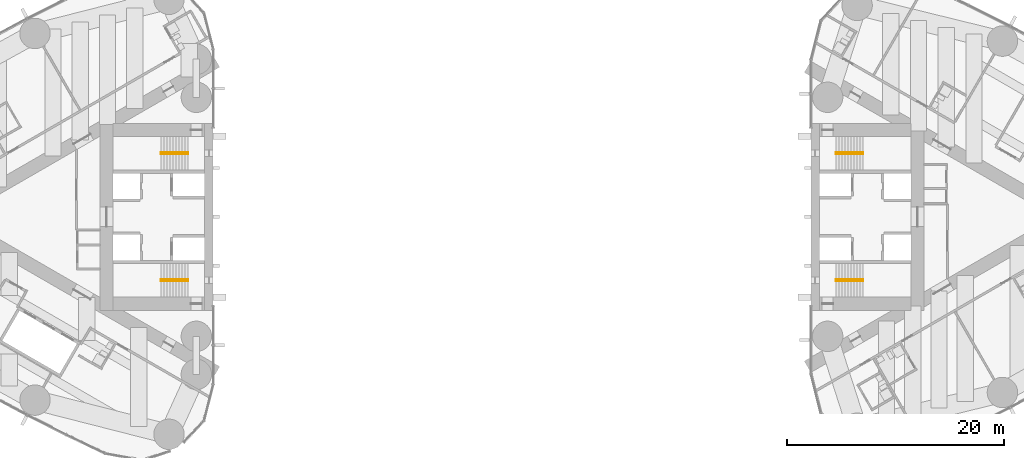
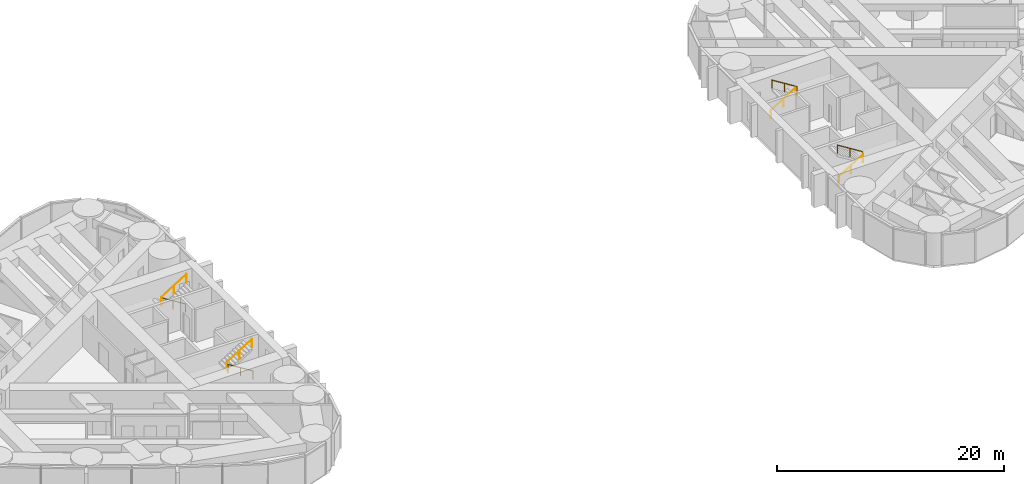
# One storey, part 18 of 19: 8 railings.
"""IFC4 building model written with IfcOpenShell, lengths in metres."""

from ifc_helpers import new_model, si_unit, direction, frame, origin, origin_2d, place, context, subcontext, project, spatial, circle, extrude, material, type_object, element, save


model = new_model("IFC4")

# Units and contexts
model_context = context("Model", 3, precision=1e-05, world=origin(), true_north=direction((0.0, 1.0)))
body_context = subcontext(model_context, "Body", "Model", "MODEL_VIEW")
ifc_project = project(units=[si_unit("LENGTHUNIT", "METRE"), si_unit("AREAUNIT", "SQUARE_METRE"), si_unit("VOLUMEUNIT", "CUBIC_METRE"), si_unit("PLANEANGLEUNIT", "RADIAN"), si_unit("MASSUNIT", "GRAM", prefix="KILO")], contexts=[model_context])

# Site, building, storey
site_placement = place(None, origin())
site = spatial("IfcSite", under=ifc_project, at=site_placement, CompositionType="ELEMENT")
building_placement = place(site_placement, origin())
building = spatial("IfcBuilding", under=site, at=building_placement, Name="Lancet Gate Hotel", CompositionType="ELEMENT")
storey_placement = place(building_placement, frame((0.0, 0.0, 173.800048828125)))
storey = spatial("IfcBuildingStorey", under=building, at=storey_placement, Name="L46", CompositionType="ELEMENT", Elevation=173.800048828125)

# Railings
ifc_material = material(Name="Stainless steel handrail", Category="steel")
railing_type = type_object("IfcRailingType", Name="Stair handrail 900", PredefinedType="HANDRAIL", material=ifc_material)
railing_1_placement = place(storey_placement, frame((-29.800048828125, 5.929931640625, 0.175048828125)))
element("IfcRailing", 1, at=railing_1_placement, inside=storey, type_object=railing_type, Name="ST1 handrail flight 1 L46", PredefinedType="HANDRAIL", context=body_context, shape_type="SweptSolid", body=[
    extrude(circle(Radius=0.02392578125, at=origin_2d()), frame((0.0, 0.0, 0.8759765625), z_axis=(-0.848007534815, 0.0, 0.529984170421), x_axis=(0.0, -1.0, 0.0)), (0.0, 0.0, 1.0), 2.9716796875),
    extrude(circle(Radius=0.02099609375, at=origin_2d()), origin(), (0.0, 0.0, 1.0), 0.851806640625),
    extrude(circle(Radius=0.02099609375, at=origin_2d()), frame((-1.260009765625, 0.0, 0.78759765625)), (0.0, 0.0, 1.0), 0.851806640625),
    extrude(circle(Radius=0.02099609375, at=origin_2d()), frame((-2.52001953125, 0.0, 1.574951171875)), (0.0, 0.0, 1.0), 0.851806640625),
])
railing_2_placement = place(storey_placement, frame((-32.320068359375, 5.77001953125, 1.925048828125)))
element("IfcRailing", 2, at=railing_2_placement, inside=storey, type_object=railing_type, Name="ST1 handrail flight 2 L46", PredefinedType="HANDRAIL", context=body_context, shape_type="SweptSolid", body=[
    extrude(circle(Radius=0.02392578125, at=origin_2d()), frame((0.0, 0.0, 0.8759765625), z_axis=(0.848007534815, 0.0, 0.529984170421), x_axis=(0.0, 1.0, 0.0)), (0.0, 0.0, 1.0), 2.9716796875),
    extrude(circle(Radius=0.02099609375, at=origin_2d()), origin(), (0.0, 0.0, 1.0), 0.851806640625),
    extrude(circle(Radius=0.02099609375, at=origin_2d()), frame((1.260009765625, 0.0, 0.78759765625)), (0.0, 0.0, 1.0), 0.851806640625),
    extrude(circle(Radius=0.02099609375, at=origin_2d()), frame((2.52001953125, 0.0, 1.574951171875)), (0.0, 0.0, 1.0), 0.851806640625),
])
railing_3_placement = place(storey_placement, frame((-29.800048828125, -5.929931640625, 0.175048828125)))
element("IfcRailing", 3, at=railing_3_placement, inside=storey, type_object=railing_type, Name="ST2 handrail flight 1 L46", PredefinedType="HANDRAIL", context=body_context, shape_type="SweptSolid", body=[
    extrude(circle(Radius=0.02392578125, at=origin_2d()), frame((0.0, 0.0, 0.8759765625), z_axis=(-0.848007534815, 0.0, 0.529984170421), x_axis=(0.0, -1.0, 0.0)), (0.0, 0.0, 1.0), 2.9716796875),
    extrude(circle(Radius=0.02099609375, at=origin_2d()), origin(), (0.0, 0.0, 1.0), 0.851806640625),
    extrude(circle(Radius=0.02099609375, at=origin_2d()), frame((-1.260009765625, 0.0, 0.78759765625)), (0.0, 0.0, 1.0), 0.851806640625),
    extrude(circle(Radius=0.02099609375, at=origin_2d()), frame((-2.52001953125, 0.0, 1.574951171875)), (0.0, 0.0, 1.0), 0.851806640625),
])
for number, where, name in (
    (4, (-32.320068359375, -5.77001953125, 1.925048828125), "ST2 handrail flight 2 L46"),
    (5, (29.800048828125, -5.929931640625, 0.175048828125), "ST3 handrail flight 1 L46"),
):
    element("IfcRailing", number, at=place(storey_placement, frame(where)), inside=storey, type_object=railing_type, Name=name, PredefinedType="HANDRAIL", context=body_context, shape_type="SweptSolid", body=[
        extrude(circle(Radius=0.02392578125, at=origin_2d()), frame((0.0, 0.0, 0.8759765625), z_axis=(0.848007534815, 0.0, 0.529984170421), x_axis=(0.0, 1.0, 0.0)), (0.0, 0.0, 1.0), 2.9716796875),
        extrude(circle(Radius=0.02099609375, at=origin_2d()), origin(), (0.0, 0.0, 1.0), 0.851806640625),
        extrude(circle(Radius=0.02099609375, at=origin_2d()), frame((1.260009765625, 0.0, 0.78759765625)), (0.0, 0.0, 1.0), 0.851806640625),
        extrude(circle(Radius=0.02099609375, at=origin_2d()), frame((2.52001953125, 0.0, 1.574951171875)), (0.0, 0.0, 1.0), 0.851806640625),
    ])
railing_4_placement = place(storey_placement, frame((32.320068359375, -5.77001953125, 1.925048828125)))
element("IfcRailing", 6, at=railing_4_placement, inside=storey, type_object=railing_type, Name="ST3 handrail flight 2 L46", PredefinedType="HANDRAIL", context=body_context, shape_type="SweptSolid", body=[
    extrude(circle(Radius=0.02392578125, at=origin_2d()), frame((0.0, 0.0, 0.8759765625), z_axis=(-0.848007534815, 0.0, 0.529984170421), x_axis=(0.0, -1.0, 0.0)), (0.0, 0.0, 1.0), 2.9716796875),
    extrude(circle(Radius=0.02099609375, at=origin_2d()), origin(), (0.0, 0.0, 1.0), 0.851806640625),
    extrude(circle(Radius=0.02099609375, at=origin_2d()), frame((-1.260009765625, 0.0, 0.78759765625)), (0.0, 0.0, 1.0), 0.851806640625),
    extrude(circle(Radius=0.02099609375, at=origin_2d()), frame((-2.52001953125, 0.0, 1.574951171875)), (0.0, 0.0, 1.0), 0.851806640625),
])
railing_5_placement = place(storey_placement, frame((29.800048828125, 5.929931640625, 0.175048828125)))
element("IfcRailing", 7, at=railing_5_placement, inside=storey, type_object=railing_type, Name="ST4 handrail flight 1 L46", PredefinedType="HANDRAIL", context=body_context, shape_type="SweptSolid", body=[
    extrude(circle(Radius=0.02392578125, at=origin_2d()), frame((0.0, 0.0, 0.8759765625), z_axis=(0.848007534815, 0.0, 0.529984170421), x_axis=(0.0, 1.0, 0.0)), (0.0, 0.0, 1.0), 2.9716796875),
    extrude(circle(Radius=0.02099609375, at=origin_2d()), origin(), (0.0, 0.0, 1.0), 0.851806640625),
    extrude(circle(Radius=0.02099609375, at=origin_2d()), frame((1.260009765625, 0.0, 0.78759765625)), (0.0, 0.0, 1.0), 0.851806640625),
    extrude(circle(Radius=0.02099609375, at=origin_2d()), frame((2.52001953125, 0.0, 1.574951171875)), (0.0, 0.0, 1.0), 0.851806640625),
])
railing_6_placement = place(storey_placement, frame((32.320068359375, 5.77001953125, 1.925048828125)))
element("IfcRailing", 8, at=railing_6_placement, inside=storey, type_object=railing_type, Name="ST4 handrail flight 2 L46", PredefinedType="HANDRAIL", context=body_context, shape_type="SweptSolid", body=[
    extrude(circle(Radius=0.02392578125, at=origin_2d()), frame((0.0, 0.0, 0.8759765625), z_axis=(-0.848007534815, 0.0, 0.529984170421), x_axis=(0.0, -1.0, 0.0)), (0.0, 0.0, 1.0), 2.9716796875),
    extrude(circle(Radius=0.02099609375, at=origin_2d()), origin(), (0.0, 0.0, 1.0), 0.851806640625),
    extrude(circle(Radius=0.02099609375, at=origin_2d()), frame((-1.260009765625, 0.0, 0.78759765625)), (0.0, 0.0, 1.0), 0.851806640625),
    extrude(circle(Radius=0.02099609375, at=origin_2d()), frame((-2.52001953125, 0.0, 1.574951171875)), (0.0, 0.0, 1.0), 0.851806640625),
])

save(model, "model.ifc")
